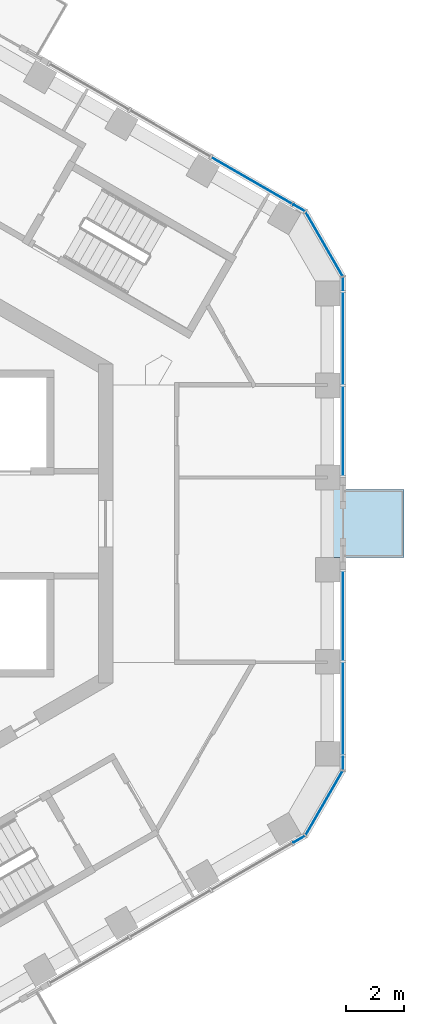
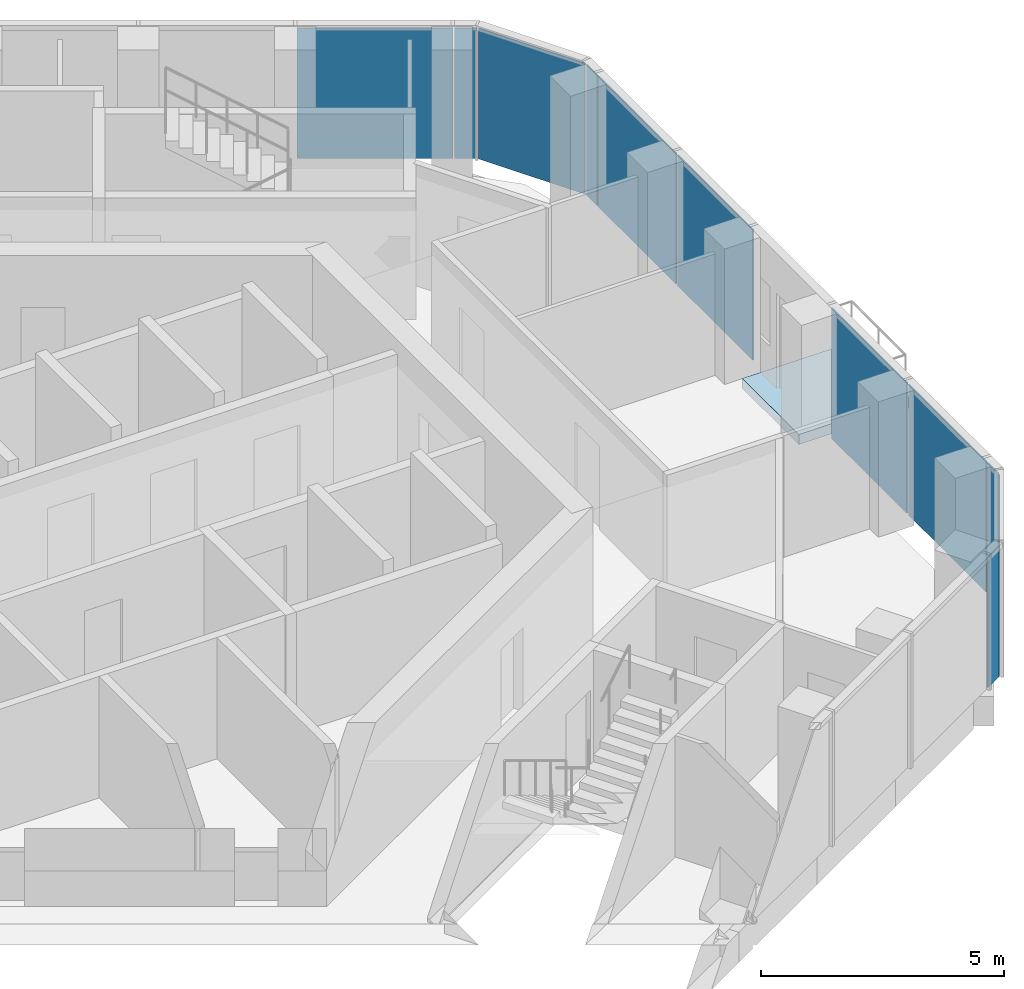
# One storey, part 11 of 19: 11 plates, 1 slab, 5 elements without a shape of their own.
"""IFC4 building model written with IfcOpenShell, lengths in metres."""

from ifc_helpers import new_model, si_unit, direction, frame, origin, origin_2d, place, context, subcontext, project, spatial, polyline, rectangle, outline, extrude, material, layer, layer_set, type_object, element, aggregate, save


model = new_model("IFC4")

# Units and contexts
model_context = context("Model", 3, precision=1e-05, world=origin(), true_north=direction((0.0, 1.0)))
body_context = subcontext(model_context, "Body", "Model", "MODEL_VIEW")
ifc_project = project(units=[si_unit("LENGTHUNIT", "METRE"), si_unit("AREAUNIT", "SQUARE_METRE"), si_unit("VOLUMEUNIT", "CUBIC_METRE"), si_unit("PLANEANGLEUNIT", "RADIAN"), si_unit("MASSUNIT", "GRAM", prefix="KILO")], contexts=[model_context])

# Site, building, storey
site_placement = place(None, origin())
site = spatial("IfcSite", under=ifc_project, at=site_placement, CompositionType="ELEMENT")
building_placement = place(site_placement, origin())
building = spatial("IfcBuilding", under=site, at=building_placement, Name="Ayvan Gate Tower", CompositionType="ELEMENT")
storey_placement = place(building_placement, frame((0.0, 0.0, 222.300048828125)))
storey = spatial("IfcBuildingStorey", under=building, at=storey_placement, Name="L59", CompositionType="ELEMENT", Elevation=222.300048828125)

# Slab
ifc_material_1 = material(Name="Concrete C40/50", Category="concrete")
ifc_layer_1 = layer(ifc_material_1, 0.25)
ifc_layer_set_1 = layer_set([ifc_layer_1], Name="Concrete C40/50")
slab_type = type_object("IfcSlabType", Name="Balcony slab 250", PredefinedType="FLOOR", material=ifc_layer_set_1)
slab_placement = place(storey_placement, frame((0.0, 0.0, -0.25)))
element("IfcSlab", 1, at=slab_placement, inside=storey, type_object=slab_type, Name="Balcony slab BAL-L59-0", PredefinedType="FLOOR", context=body_context, shape_type="SweptSolid", body=[
    extrude(outline(polyline([(16.887451171875, -1.164794921875), (16.887451171875, 1.164794921875), (19.512451171875, 1.164794921875), (19.512451171875, -1.164794921875), (16.887451171875, -1.164794921875)])), origin(), (0.0, 0.0, 1.0), 0.25),
])

# Curtain wall, plates
ifc_material_2 = material(Name="Bronze anodised aluminium", Category="aluminium")
ifc_layer_2 = layer(ifc_material_2, 0.199951171875)
ifc_layer_set_2 = layer_set([ifc_layer_2], Name="Bronze anodised aluminium")
curtain_wall_type_1 = type_object("IfcCurtainWallType", Name="Stick curtain wall CW-2", PredefinedType="NOTDEFINED", material=ifc_layer_set_2)
curtain_wall_1_placement = place(storey_placement, origin())
curtain_wall_1 = element("IfcCurtainWall", 2, at=curtain_wall_1_placement, inside=storey, type_object=curtain_wall_type_1, Name="Stick curtain wall CW-2 L59", PredefinedType="NOTDEFINED")
ifc_material_3 = material(Name="Clear low-iron laminated glass", Category="glass")
ifc_layer_3 = layer(ifc_material_3, 0.028076171875)
ifc_layer_set_3 = layer_set([ifc_layer_3], Name="Clear low-iron laminated glass")
plate_type_1 = type_object("IfcPlateType", Name="Stick curtain wall CW-2 glass panel", PredefinedType="CURTAIN_PANEL", material=ifc_layer_set_3)
plate_1_placement = place(storey_placement, frame((17.41259765625, -6.384033203125, 0.0), z_axis=(0.0, 0.0, 1.0), x_axis=(0.0, 1.0, 0.0)))
plate_1 = element("IfcPlate", 3, at=plate_1_placement, type_object=plate_type_1, Name="CW-2 glass panel 1", PredefinedType="CURTAIN_PANEL", context=body_context, shape_type="SweptSolid", body=[
    extrude(rectangle(XDim=3.198974609375, YDim=0.028076171875, at=origin_2d()), origin(), (0.0, 0.0, 1.0), 3.280029296875),
])
plate_2_placement = place(storey_placement, frame((17.41259765625, -3.166015625, 0.0), z_axis=(0.0, 0.0, 1.0), x_axis=(0.0, 1.0, 0.0)))
plate_2 = element("IfcPlate", 4, at=plate_2_placement, type_object=plate_type_1, Name="CW-2 glass panel 2", PredefinedType="CURTAIN_PANEL", context=body_context, shape_type="SweptSolid", body=[
    extrude(rectangle(XDim=3.096923828125, YDim=0.028076171875, at=origin_2d()), origin(), (0.0, 0.0, 1.0), 3.280029296875),
])
aggregate(curtain_wall_1, [plate_1, plate_2])

curtain_wall_2_placement = place(storey_placement, origin())
curtain_wall_2 = element("IfcCurtainWall", 5, at=curtain_wall_2_placement, inside=storey, type_object=curtain_wall_type_1, Name="Stick curtain wall CW-2 L59", PredefinedType="NOTDEFINED")
plate_3_placement = place(storey_placement, frame((17.41259765625, 3.16650390625, 0.0), z_axis=(0.0, 0.0, 1.0), x_axis=(0.0, 1.0, 0.0)))
plate_3 = element("IfcPlate", 6, at=plate_3_placement, type_object=plate_type_1, Name="CW-2 glass panel 1", PredefinedType="CURTAIN_PANEL", context=body_context, shape_type="SweptSolid", body=[
    extrude(rectangle(XDim=3.095947265625, YDim=0.028076171875, at=origin_2d()), origin(), (0.0, 0.0, 1.0), 3.280029296875),
])
plate_4_placement = place(storey_placement, frame((17.41259765625, 6.384033203125, 0.0), z_axis=(0.0, 0.0, 1.0), x_axis=(0.0, 1.0, 0.0)))
plate_4 = element("IfcPlate", 7, at=plate_4_placement, type_object=plate_type_1, Name="CW-2 glass panel 2", PredefinedType="CURTAIN_PANEL", context=body_context, shape_type="SweptSolid", body=[
    extrude(rectangle(XDim=3.198974609375, YDim=0.028076171875, at=origin_2d()), origin(), (0.0, 0.0, 1.0), 3.280029296875),
])
aggregate(curtain_wall_2, [plate_3, plate_4])

# Curtain wall, plate
curtain_wall_3_placement = place(storey_placement, origin())
curtain_wall_3 = element("IfcCurtainWall", 8, at=curtain_wall_3_placement, inside=storey, type_object=curtain_wall_type_1, Name="Stick curtain wall CW-2 L59", PredefinedType="NOTDEFINED")
plate_5_placement = place(storey_placement, frame((14.28955078125, 11.78759765625, 0.0), z_axis=(0.0, 0.0, 1.0), x_axis=(-0.866025403784, 0.5, 0.0)))
plate_5 = element("IfcPlate", 9, at=plate_5_placement, type_object=plate_type_1, Name="CW-2 glass panel 1", PredefinedType="CURTAIN_PANEL", context=body_context, shape_type="SweptSolid", body=[
    extrude(rectangle(XDim=3.2099609375, YDim=0.028076171875, at=origin_2d()), origin(), (0.0, 0.0, 1.0), 3.280029296875),
])
aggregate(curtain_wall_3, [plate_5])

# Curtain wall, plates
ifc_layer_4 = layer(ifc_material_2, 0.199951171875)
ifc_layer_set_4 = layer_set([ifc_layer_4], Name="Bronze anodised aluminium")
curtain_wall_type_2 = type_object("IfcCurtainWallType", Name="Stick curtain wall CW-6", PredefinedType="NOTDEFINED", material=ifc_layer_set_4)
curtain_wall_4_placement = place(storey_placement, origin())
curtain_wall_4 = element("IfcCurtainWall", 10, at=curtain_wall_4_placement, inside=storey, type_object=curtain_wall_type_2, Name="Stick curtain wall CW-6 L59", PredefinedType="NOTDEFINED")
ifc_layer_5 = layer(ifc_material_3, 0.028076171875)
ifc_layer_set_5 = layer_set([ifc_layer_5], Name="Clear low-iron laminated glass")
plate_type_2 = type_object("IfcPlateType", Name="Stick curtain wall CW-6 glass panel", PredefinedType="CURTAIN_PANEL", material=ifc_layer_set_5)
plate_6_placement = place(storey_placement, frame((15.90478515625, -10.85498046875, 0.0), z_axis=(0.0, 0.0, 1.0), x_axis=(0.866025403784, 0.5, 0.0)))
plate_6 = element("IfcPlate", 11, at=plate_6_placement, type_object=plate_type_2, Name="CW-6 glass panel 1", PredefinedType="CURTAIN_PANEL", context=body_context, shape_type="SweptSolid", body=[
    extrude(rectangle(XDim=0.449951171875, YDim=0.028076171875, at=origin_2d()), origin(), (0.0, 0.0, 1.0), 3.280029296875),
])
plate_7_placement = place(storey_placement, frame((16.766845703125, -9.61181640625, 0.0), z_axis=(0.0, 0.0, 1.0), x_axis=(0.5, 0.866025403784, 0.0)))
plate_7 = element("IfcPlate", 12, at=plate_7_placement, type_object=plate_type_2, Name="CW-6 glass panel 2", PredefinedType="CURTAIN_PANEL", context=body_context, shape_type="SweptSolid", body=[
    extrude(rectangle(XDim=2.532470703125, YDim=0.028076171875, at=origin_2d()), origin(), (0.0, 0.0, 1.0), 3.280029296875),
])
plate_8_placement = place(storey_placement, frame((17.41259765625, -8.24365234375, 0.0), z_axis=(0.0, 0.0, 1.0), x_axis=(0.0, 1.0, 0.0)))
plate_8 = element("IfcPlate", 13, at=plate_8_placement, type_object=plate_type_2, Name="CW-6 glass panel 3", PredefinedType="CURTAIN_PANEL", context=body_context, shape_type="SweptSolid", body=[
    extrude(rectangle(XDim=0.449951171875, YDim=0.028076171875, at=origin_2d()), origin(), (0.0, 0.0, 1.0), 3.280029296875),
])
aggregate(curtain_wall_4, [plate_6, plate_7, plate_8])

curtain_wall_5_placement = place(storey_placement, origin())
curtain_wall_5 = element("IfcCurtainWall", 14, at=curtain_wall_5_placement, inside=storey, type_object=curtain_wall_type_2, Name="Stick curtain wall CW-6 L59", PredefinedType="NOTDEFINED")
plate_9_placement = place(storey_placement, frame((17.41259765625, 8.24365234375, 0.0), z_axis=(0.0, 0.0, 1.0), x_axis=(0.0, 1.0, 0.0)))
plate_9 = element("IfcPlate", 15, at=plate_9_placement, type_object=plate_type_2, Name="CW-6 glass panel 1", PredefinedType="CURTAIN_PANEL", context=body_context, shape_type="SweptSolid", body=[
    extrude(rectangle(XDim=0.449951171875, YDim=0.028076171875, at=origin_2d()), origin(), (0.0, 0.0, 1.0), 3.280029296875),
])
plate_10_placement = place(storey_placement, frame((16.766845703125, 9.61181640625, 0.0), z_axis=(0.0, 0.0, 1.0), x_axis=(-0.5, 0.866025403784, 0.0)))
plate_10 = element("IfcPlate", 16, at=plate_10_placement, type_object=plate_type_2, Name="CW-6 glass panel 2", PredefinedType="CURTAIN_PANEL", context=body_context, shape_type="SweptSolid", body=[
    extrude(rectangle(XDim=2.532470703125, YDim=0.028076171875, at=origin_2d()), origin(), (0.0, 0.0, 1.0), 3.280029296875),
])
plate_11_placement = place(storey_placement, frame((15.90478515625, 10.85498046875, 0.0), z_axis=(0.0, 0.0, 1.0), x_axis=(-0.866025403784, 0.5, 0.0)))
plate_11 = element("IfcPlate", 17, at=plate_11_placement, type_object=plate_type_2, Name="CW-6 glass panel 3", PredefinedType="CURTAIN_PANEL", context=body_context, shape_type="SweptSolid", body=[
    extrude(rectangle(XDim=0.449951171875, YDim=0.028076171875, at=origin_2d()), origin(), (0.0, 0.0, 1.0), 3.280029296875),
])
aggregate(curtain_wall_5, [plate_9, plate_10, plate_11])

save(model, "model.ifc")
